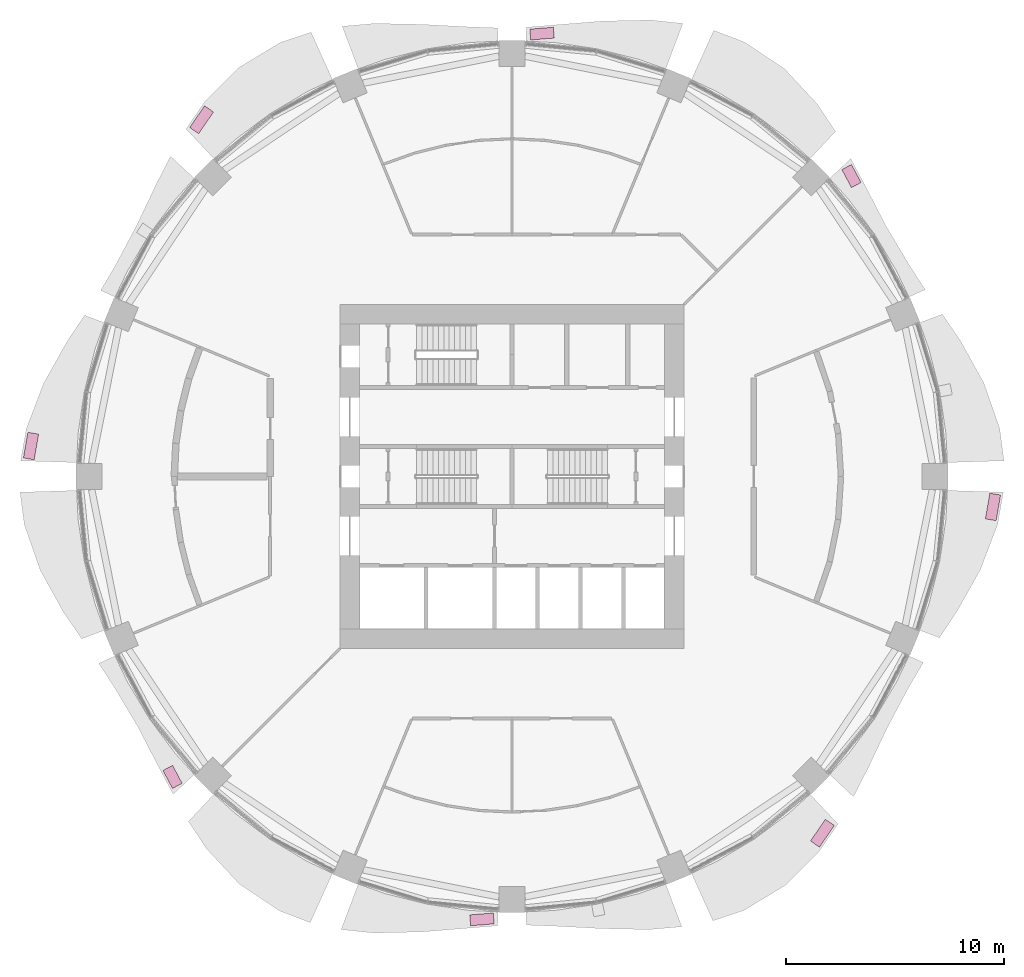
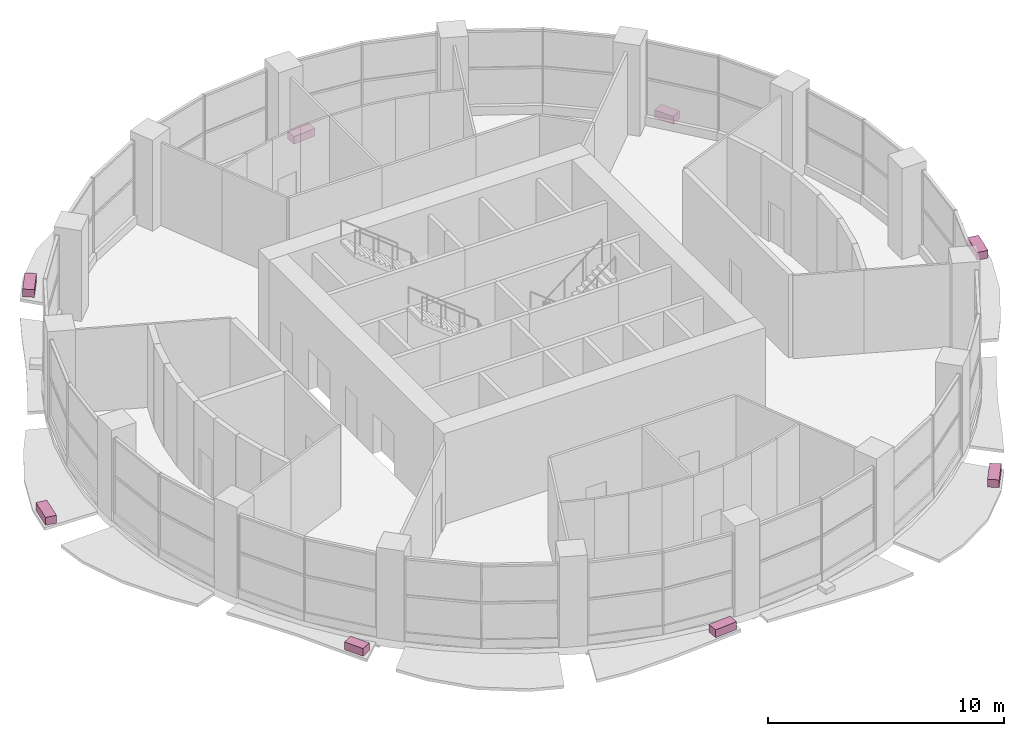
# One storey, part 14 of 14: 8 furniture elements.
"""IFC4 building model written with IfcOpenShell, lengths in metres."""

from ifc_helpers import new_model, si_unit, direction, frame, origin, origin_2d, place, context, subcontext, project, spatial, rectangle, extrude, material, type_object, element, save


model = new_model("IFC4")

# Units and contexts
model_context = context("Model", 3, precision=1e-05, world=origin(), true_north=direction((0.0, 1.0)))
body_context = subcontext(model_context, "Body", "Model", "MODEL_VIEW")
ifc_project = project(units=[si_unit("LENGTHUNIT", "METRE"), si_unit("AREAUNIT", "SQUARE_METRE"), si_unit("VOLUMEUNIT", "CUBIC_METRE"), si_unit("PLANEANGLEUNIT", "RADIAN"), si_unit("MASSUNIT", "GRAM", prefix="KILO")], contexts=[model_context])

# Site, building, storey
site_placement = place(None, origin())
site = spatial("IfcSite", under=ifc_project, at=site_placement, CompositionType="ELEMENT")
building_placement = place(site_placement, origin())
building = spatial("IfcBuilding", under=site, at=building_placement, Name="Polderwave Tower", CompositionType="ELEMENT")
storey_placement = place(building_placement, frame((0.0, 0.0, 5.199951171875)))
storey = spatial("IfcBuildingStorey", under=building, at=storey_placement, Name="L01", CompositionType="ELEMENT", Elevation=5.199951171875)

# Furniture
ifc_material = material(Name="Terracotta", Category="masonry")
furniture_type = type_object("IfcFurnitureType", Name="Terracotta planting trough", AssemblyPlace="NOTDEFINED", PredefinedType="USERDEFINED", material=ifc_material)
furniture_1_placement = place(storey_placement, frame((15.53857421875, 13.751708984375, -0.25), z_axis=(0.0, 0.0, 1.0), x_axis=(-0.469280463544, 0.883049175604, 0.0)))
element("IfcFurniture", 1, at=furniture_1_placement, inside=storey, type_object=furniture_type, Name="Planting trough L01 2", ObjectType="PLANTER", PredefinedType="USERDEFINED", context=body_context, shape_type="SweptSolid", body=[
    extrude(rectangle(XDim=0.93505859375, YDim=0.5, at=origin_2d()), origin(), (0.0, 0.0, 1.0), 0.39990234375),
])
furniture_2_placement = place(storey_placement, frame((1.37548828125, 20.273193359375, -0.25), z_axis=(0.0, 0.0, 1.0), x_axis=(-0.996729842782, -0.080806067273, 0.0)))
element("IfcFurniture", 2, at=furniture_2_placement, inside=storey, type_object=furniture_type, Name="Planting trough L01 4", ObjectType="PLANTER", PredefinedType="USERDEFINED", context=body_context, shape_type="SweptSolid", body=[
    extrude(rectangle(XDim=1.08349609375, YDim=0.5, at=origin_2d()), origin(), (0.0, 0.0, 1.0), 0.39990234375),
])
furniture_3_placement = place(storey_placement, frame((-14.20849609375, 16.330078125, -0.25), z_axis=(0.0, 0.0, 1.0), x_axis=(-0.564922359662, -0.825144064727, 0.0)))
element("IfcFurniture", 3, at=furniture_3_placement, inside=storey, type_object=furniture_type, Name="Planting trough L01 6", ObjectType="PLANTER", PredefinedType="USERDEFINED", context=body_context, shape_type="SweptSolid", body=[
    extrude(rectangle(XDim=1.202880859375, YDim=0.5, at=origin_2d()), origin(), (0.0, 0.0, 1.0), 0.39990234375),
])
furniture_4_placement = place(storey_placement, frame((-22.01708984375, 1.394775390625, -0.25), z_axis=(0.0, 0.0, 1.0), x_axis=(-0.170948991491, -0.98527988019, 0.0)))
element("IfcFurniture", 4, at=furniture_4_placement, inside=storey, type_object=furniture_type, Name="Planting trough L01 8", ObjectType="PLANTER", PredefinedType="USERDEFINED", context=body_context, shape_type="SweptSolid", body=[
    extrude(rectangle(XDim=1.192626953125, YDim=0.5, at=origin_2d()), origin(), (0.0, 0.0, 1.0), 0.39990234375),
])
furniture_5_placement = place(storey_placement, frame((-15.53857421875, -13.751708984375, -0.25), z_axis=(0.0, 0.0, 1.0), x_axis=(0.469280463544, -0.883049175604, 0.0)))
element("IfcFurniture", 5, at=furniture_5_placement, inside=storey, type_object=furniture_type, Name="Planting trough L01 10", ObjectType="PLANTER", PredefinedType="USERDEFINED", context=body_context, shape_type="SweptSolid", body=[
    extrude(rectangle(XDim=0.93505859375, YDim=0.5, at=origin_2d()), origin(), (0.0, 0.0, 1.0), 0.39990234375),
])
furniture_6_placement = place(storey_placement, frame((-1.37548828125, -20.273193359375, -0.25), z_axis=(0.0, 0.0, 1.0), x_axis=(0.996729842782, 0.080806067273, 0.0)))
element("IfcFurniture", 6, at=furniture_6_placement, inside=storey, type_object=furniture_type, Name="Planting trough L01 12", ObjectType="PLANTER", PredefinedType="USERDEFINED", context=body_context, shape_type="SweptSolid", body=[
    extrude(rectangle(XDim=1.08349609375, YDim=0.5, at=origin_2d()), origin(), (0.0, 0.0, 1.0), 0.39990234375),
])
furniture_7_placement = place(storey_placement, frame((14.20849609375, -16.330078125, -0.25), z_axis=(0.0, 0.0, 1.0), x_axis=(0.564922359662, 0.825144064727, 0.0)))
element("IfcFurniture", 7, at=furniture_7_placement, inside=storey, type_object=furniture_type, Name="Planting trough L01 14", ObjectType="PLANTER", PredefinedType="USERDEFINED", context=body_context, shape_type="SweptSolid", body=[
    extrude(rectangle(XDim=1.202880859375, YDim=0.5, at=origin_2d()), origin(), (0.0, 0.0, 1.0), 0.39990234375),
])
furniture_8_placement = place(storey_placement, frame((22.01708984375, -1.394775390625, -0.25), z_axis=(0.0, 0.0, 1.0), x_axis=(0.170948991491, 0.98527988019, 0.0)))
element("IfcFurniture", 8, at=furniture_8_placement, inside=storey, type_object=furniture_type, Name="Planting trough L01 16", ObjectType="PLANTER", PredefinedType="USERDEFINED", context=body_context, shape_type="SweptSolid", body=[
    extrude(rectangle(XDim=1.192626953125, YDim=0.5, at=origin_2d()), origin(), (0.0, 0.0, 1.0), 0.39990234375),
])

save(model, "model.ifc")
